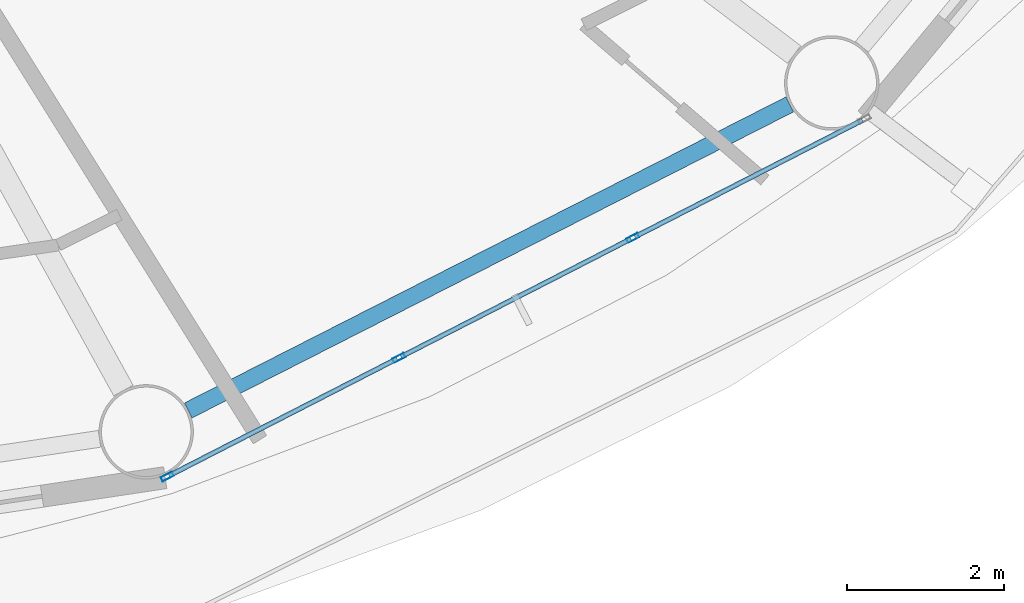
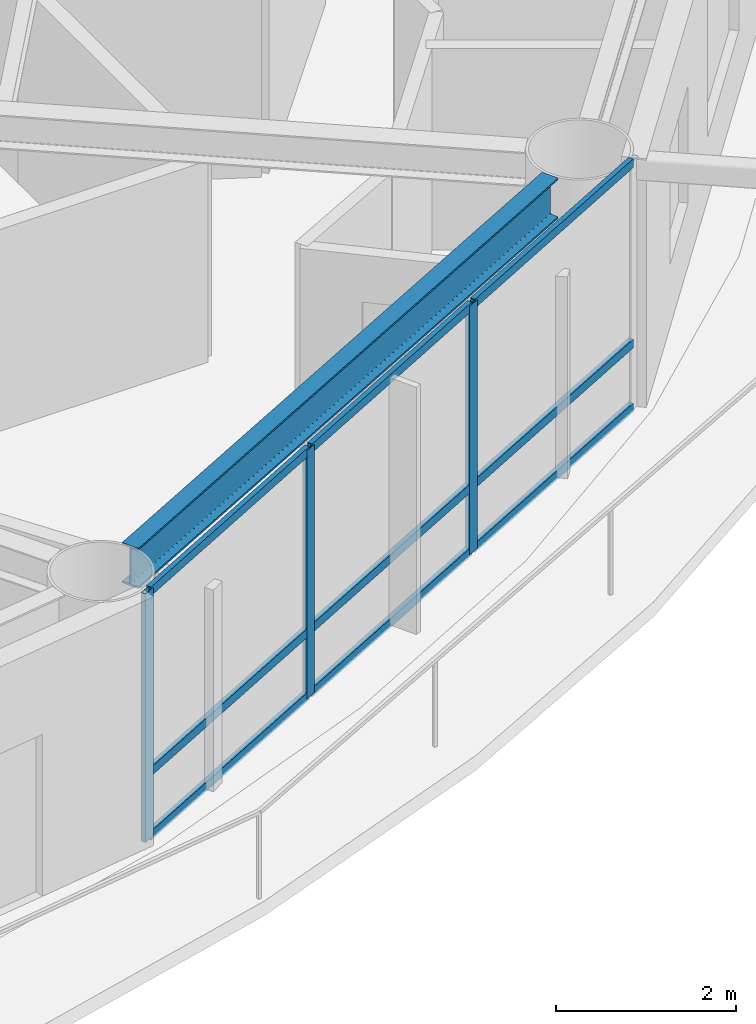
# One storey, part 5 of 28: 12 members, 1 beam, 1 element without a shape of its own.
"""IFC4 building model written with IfcOpenShell, lengths in metres."""

from ifc_helpers import new_model, si_unit, direction, frame, origin, origin_2d, place, context, subcontext, project, spatial, hollow_rectangle, i_section, extrude, material, layer, layer_set, material_profile, profile_set, type_object, element, aggregate, save


model = new_model("IFC4")

# Units and contexts
model_context = context("Model", 3, precision=1e-05, world=origin(), true_north=direction((0.0, 1.0)))
body_context = subcontext(model_context, "Body", "Model", "MODEL_VIEW")
ifc_project = project(units=[si_unit("LENGTHUNIT", "METRE"), si_unit("AREAUNIT", "SQUARE_METRE"), si_unit("VOLUMEUNIT", "CUBIC_METRE"), si_unit("PLANEANGLEUNIT", "RADIAN"), si_unit("MASSUNIT", "GRAM", prefix="KILO")], contexts=[model_context])

# Site, building, storey
site_placement = place(None, origin())
site = spatial("IfcSite", under=ifc_project, at=site_placement, CompositionType="ELEMENT")
building_placement = place(site_placement, origin())
building = spatial("IfcBuilding", under=site, at=building_placement, Name="Sarneth Arch Tower", CompositionType="ELEMENT")
storey_placement = place(building_placement, frame((0.0, 0.0, 190.199951171875)))
storey = spatial("IfcBuildingStorey", under=building, at=storey_placement, Name="L48", CompositionType="ELEMENT", Elevation=190.199951171875)

# Beam
ifc_material_1 = material(Name="Steel S355", Category="steel")
ifc_material_profile_1 = material_profile(ifc_material_1, i_section(OverallWidth=0.214111328125, OverallDepth=0.549072265625, WebThickness=0.0146484375, FlangeThickness=0.023681640625, FilletRadius=0.01806640625, at=origin_2d()), Name="W530x138")
ifc_profile_set_1 = profile_set([ifc_material_profile_1], Name="Steel S355")
beam_type = type_object("IfcBeamType", Name="BM-RAD-530A", PredefinedType="BEAM", material=ifc_profile_set_1)
beam_placement = place(storey_placement, frame((58.95654296875, 23.378662109375, 3.10546875), z_axis=(0.891250372735, 0.453511601945, 0.0), x_axis=(-0.453511601945, 0.891250372735, 0.0)))
element("IfcBeam", 1, at=beam_placement, inside=storey, type_object=beam_type, Name="L48 Perimeter spandrel beam 14", PredefinedType="BEAM", context=body_context, shape_type="SweptSolid", body=[
    extrude(i_section(OverallWidth=0.214111328125, OverallDepth=0.549072265625, WebThickness=0.0146484375, FlangeThickness=0.023681640625, FilletRadius=0.01806640625, at=origin_2d()), origin(), (0.0, 0.0, 1.0), 8.5751953125),
])

# Curtain wall, members
ifc_material_2 = material(Name="Anodised aluminium Type AA25 and solar-control low-e laminated IGU", Category="aluminium")
ifc_layer = layer(ifc_material_2, 0.169921875)
ifc_layer_set = layer_set([ifc_layer], Name="Anodised aluminium Type AA25 and solar-control low-e laminated IGU")
curtain_wall_type = type_object("IfcCurtainWallType", Name="CW-RES-MID", PredefinedType="NOTDEFINED", material=ifc_layer_set)
curtain_wall_placement = place(storey_placement, origin())
curtain_wall = element("IfcCurtainWall", 2, at=curtain_wall_placement, inside=storey, type_object=curtain_wall_type, Name="L48 Unitised curtain wall facet 14", PredefinedType="NOTDEFINED")
ifc_material_3 = material(Name="Anodised Aluminium 6063-T6", Category="aluminium")
ifc_material_profile_2 = material_profile(ifc_material_3, hollow_rectangle(XDim=0.06005859375, YDim=0.159912109375, WallThickness=0.00390625, at=origin_2d()), Name="AL-MULL-160x60x4")
ifc_profile_set_2 = profile_set([ifc_material_profile_2], Name="Anodised Aluminium 6063-T6")
member_type_1 = type_object("IfcMemberType", Name="CW-MULLION", PredefinedType="MULLION", material=ifc_profile_set_2)
member_1_placement = place(storey_placement, frame((58.689453125, 22.538330078125, 0.0), z_axis=(0.0, 0.0, 1.0), x_axis=(-0.456208470329, 0.88987293003, 0.0)))
member_1 = element("IfcMember", 3, at=member_1_placement, type_object=member_type_1, Name="CW-SYS-5 mullion 1", PredefinedType="MULLION", context=body_context, shape_type="SweptSolid", body=[
    extrude(hollow_rectangle(XDim=0.06005859375, YDim=0.159912109375, WallThickness=0.00390625, at=origin_2d()), origin(), (0.0, 0.0, 1.0), 3.380126953125),
])
member_2_placement = place(storey_placement, frame((61.634033203125, 24.0478515625, 0.0), z_axis=(0.0, 0.0, 1.0), x_axis=(-0.456208470329, 0.88987293003, 0.0)))
member_2 = element("IfcMember", 4, at=member_2_placement, type_object=member_type_1, Name="CW-SYS-5 mullion 2", PredefinedType="MULLION", context=body_context, shape_type="SweptSolid", body=[
    extrude(hollow_rectangle(XDim=0.06005859375, YDim=0.159912109375, WallThickness=0.00390625, at=origin_2d()), origin(), (0.0, 0.0, 1.0), 3.380126953125),
])
member_3_placement = place(storey_placement, frame((64.60498046875, 25.571044921875, 0.0), z_axis=(0.0, 0.0, 1.0), x_axis=(-0.456208470329, 0.88987293003, 0.0)))
member_3 = element("IfcMember", 5, at=member_3_placement, type_object=member_type_1, Name="CW-SYS-5 mullion 3", PredefinedType="MULLION", context=body_context, shape_type="SweptSolid", body=[
    extrude(hollow_rectangle(XDim=0.06005859375, YDim=0.159912109375, WallThickness=0.00390625, at=origin_2d()), origin(), (0.0, 0.0, 1.0), 3.380126953125),
])
ifc_material_4 = material(Name="Anodised Aluminium 6063-T6", Category="aluminium")
ifc_material_profile_3 = material_profile(ifc_material_4, hollow_rectangle(XDim=0.06005859375, YDim=0.1201171875, WallThickness=0.00390625, at=origin_2d()), Name="AL-TRAN-120x60x4")
ifc_profile_set_3 = profile_set([ifc_material_profile_3], Name="Anodised Aluminium 6063-T6")
member_type_2 = type_object("IfcMemberType", Name="CW-TRANSOM", PredefinedType="USERDEFINED", material=ifc_profile_set_3)
member_4_placement = place(storey_placement, frame((58.71630859375, 22.552001953125, 0.030029296875), z_axis=(0.889857362344, 0.456238835131, 0.0), x_axis=(-0.456238835131, 0.889857362344, 0.0)))
member_4 = element("IfcMember", 6, at=member_4_placement, type_object=member_type_2, Name="CW-SYS-5 transom 1.1", ObjectType="TRANSOM", PredefinedType="USERDEFINED", context=body_context, shape_type="SweptSolid", body=[
    extrude(hollow_rectangle(XDim=0.06005859375, YDim=0.1201171875, WallThickness=0.00390625, at=origin_2d()), origin(), (0.0, 0.0, 1.0), 3.248779296875),
])
member_5_placement = place(storey_placement, frame((58.71630859375, 22.552001953125, 0.900146484375), z_axis=(0.889857362344, 0.456238835131, 0.0), x_axis=(-0.456238835131, 0.889857362344, 0.0)))
member_5 = element("IfcMember", 7, at=member_5_placement, type_object=member_type_2, Name="CW-SYS-5 transom 1.2", ObjectType="TRANSOM", PredefinedType="USERDEFINED", context=body_context, shape_type="SweptSolid", body=[
    extrude(hollow_rectangle(XDim=0.06005859375, YDim=0.1201171875, WallThickness=0.00390625, at=origin_2d()), origin(), (0.0, 0.0, 1.0), 3.248779296875),
])
member_6_placement = place(storey_placement, frame((58.71630859375, 22.552001953125, 3.35009765625), z_axis=(0.889857362344, 0.456238835131, 0.0), x_axis=(-0.456238835131, 0.889857362344, 0.0)))
member_6 = element("IfcMember", 8, at=member_6_placement, type_object=member_type_2, Name="CW-SYS-5 transom 1.3", ObjectType="TRANSOM", PredefinedType="USERDEFINED", context=body_context, shape_type="SweptSolid", body=[
    extrude(hollow_rectangle(XDim=0.06005859375, YDim=0.1201171875, WallThickness=0.00390625, at=origin_2d()), origin(), (0.0, 0.0, 1.0), 3.248779296875),
])
member_7_placement = place(storey_placement, frame((61.66064453125, 24.0615234375, 0.030029296875), z_axis=(0.889869396751, 0.45621536222, 0.0), x_axis=(-0.45621536222, 0.889869396751, 0.0)))
member_7 = element("IfcMember", 9, at=member_7_placement, type_object=member_type_2, Name="CW-SYS-5 transom 2.1", ObjectType="TRANSOM", PredefinedType="USERDEFINED", context=body_context, shape_type="SweptSolid", body=[
    extrude(hollow_rectangle(XDim=0.06005859375, YDim=0.1201171875, WallThickness=0.00390625, at=origin_2d()), origin(), (0.0, 0.0, 1.0), 3.27880859375),
])
member_8_placement = place(storey_placement, frame((61.66064453125, 24.0615234375, 0.900146484375), z_axis=(0.889869396751, 0.45621536222, 0.0), x_axis=(-0.45621536222, 0.889869396751, 0.0)))
member_8 = element("IfcMember", 10, at=member_8_placement, type_object=member_type_2, Name="CW-SYS-5 transom 2.2", ObjectType="TRANSOM", PredefinedType="USERDEFINED", context=body_context, shape_type="SweptSolid", body=[
    extrude(hollow_rectangle(XDim=0.06005859375, YDim=0.1201171875, WallThickness=0.00390625, at=origin_2d()), origin(), (0.0, 0.0, 1.0), 3.27880859375),
])
member_9_placement = place(storey_placement, frame((61.66064453125, 24.0615234375, 3.35009765625), z_axis=(0.889869396751, 0.45621536222, 0.0), x_axis=(-0.45621536222, 0.889869396751, 0.0)))
member_9 = element("IfcMember", 11, at=member_9_placement, type_object=member_type_2, Name="CW-SYS-5 transom 2.3", ObjectType="TRANSOM", PredefinedType="USERDEFINED", context=body_context, shape_type="SweptSolid", body=[
    extrude(hollow_rectangle(XDim=0.06005859375, YDim=0.1201171875, WallThickness=0.00390625, at=origin_2d()), origin(), (0.0, 0.0, 1.0), 3.27880859375),
])
member_10_placement = place(storey_placement, frame((64.6318359375, 25.584716796875, 0.030029296875), z_axis=(0.889857362344, 0.456238835131, 0.0), x_axis=(-0.456238835131, 0.889857362344, 0.0)))
member_10 = element("IfcMember", 12, at=member_10_placement, type_object=member_type_2, Name="CW-SYS-5 transom 3.1", ObjectType="TRANSOM", PredefinedType="USERDEFINED", context=body_context, shape_type="SweptSolid", body=[
    extrude(hollow_rectangle(XDim=0.06005859375, YDim=0.1201171875, WallThickness=0.00390625, at=origin_2d()), origin(), (0.0, 0.0, 1.0), 3.248779296875),
])
member_11_placement = place(storey_placement, frame((64.6318359375, 25.584716796875, 0.900146484375), z_axis=(0.889857362344, 0.456238835131, 0.0), x_axis=(-0.456238835131, 0.889857362344, 0.0)))
member_11 = element("IfcMember", 13, at=member_11_placement, type_object=member_type_2, Name="CW-SYS-5 transom 3.2", ObjectType="TRANSOM", PredefinedType="USERDEFINED", context=body_context, shape_type="SweptSolid", body=[
    extrude(hollow_rectangle(XDim=0.06005859375, YDim=0.1201171875, WallThickness=0.00390625, at=origin_2d()), origin(), (0.0, 0.0, 1.0), 3.248779296875),
])
member_12_placement = place(storey_placement, frame((64.6318359375, 25.584716796875, 3.35009765625), z_axis=(0.889857362344, 0.456238835131, 0.0), x_axis=(-0.456238835131, 0.889857362344, 0.0)))
member_12 = element("IfcMember", 14, at=member_12_placement, type_object=member_type_2, Name="CW-SYS-5 transom 3.3", ObjectType="TRANSOM", PredefinedType="USERDEFINED", context=body_context, shape_type="SweptSolid", body=[
    extrude(hollow_rectangle(XDim=0.06005859375, YDim=0.1201171875, WallThickness=0.00390625, at=origin_2d()), origin(), (0.0, 0.0, 1.0), 3.248779296875),
])
aggregate(curtain_wall, [member_1, member_2, member_3, member_4, member_5, member_6, member_7, member_8, member_9, member_10, member_11, member_12])

save(model, "model.ifc")
